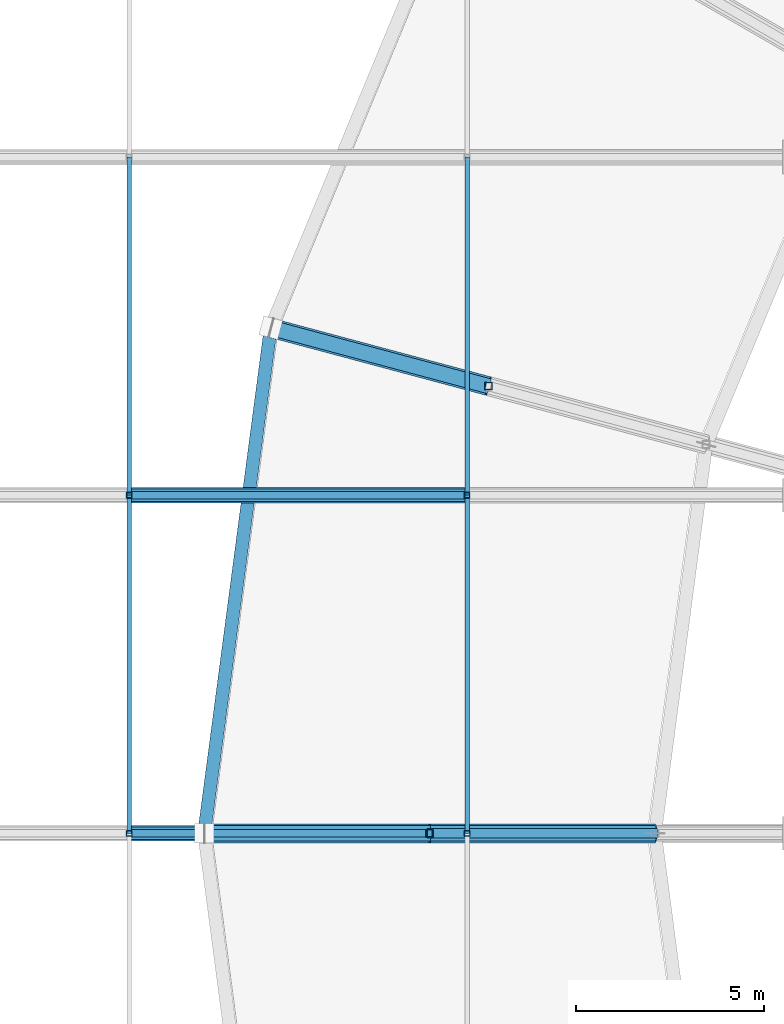
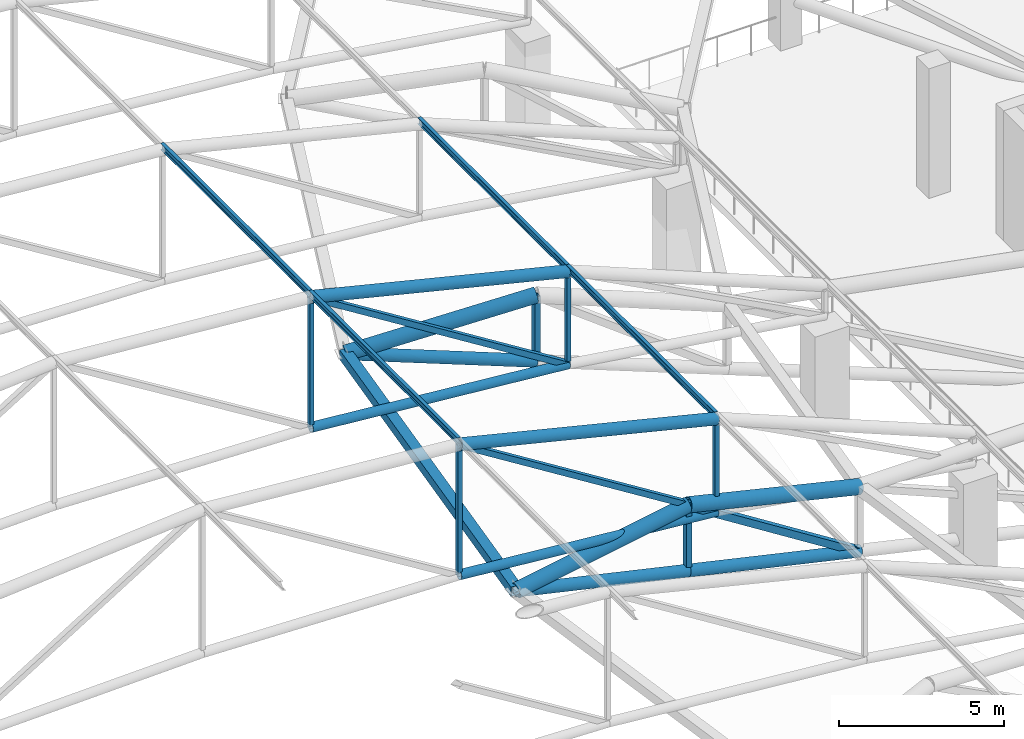
# One storey, part 50 of 167: 24 members.
"""IFC4 building model written with IfcOpenShell, lengths in metres."""

from ifc_helpers import new_model, si_unit, direction, frame, origin, origin_2d, place, context, subcontext, project, spatial, hollow_rectangle, hollow_circle, i_section, extrude, material, material_profile, profile_set, type_object, element, save


model = new_model("IFC4")

# Units and contexts
model_context = context("Model", 3, precision=1e-05, world=origin(), true_north=direction((0.0, 1.0)))
body_context = subcontext(model_context, "Body", "Model", "MODEL_VIEW")
ifc_project = project(units=[si_unit("LENGTHUNIT", "METRE"), si_unit("AREAUNIT", "SQUARE_METRE"), si_unit("VOLUMEUNIT", "CUBIC_METRE"), si_unit("PLANEANGLEUNIT", "RADIAN"), si_unit("MASSUNIT", "GRAM", prefix="KILO")], contexts=[model_context])

# Site, building, storey
site_placement = place(None, origin())
site = spatial("IfcSite", under=ifc_project, at=site_placement, CompositionType="ELEMENT")
building_placement = place(site_placement, origin())
building = spatial("IfcBuilding", under=site, at=building_placement, Name="Dornveld Trade and Exhibition Forum", CompositionType="ELEMENT")
storey_placement = place(building_placement, frame((0.0, 0.0, 16.800048828125)))
storey = spatial("IfcBuildingStorey", under=building, at=storey_placement, Name="L03", CompositionType="ELEMENT", Elevation=16.800048828125)

# Members
ifc_material_1 = material(Name="Steel S355J2", Category="steel")
ifc_material_profile_1 = material_profile(ifc_material_1, hollow_circle(Radius=0.161865234375, WallThickness=0.01611328125, at=origin_2d()), Name="CHS 323.9x16")
ifc_profile_set_1 = profile_set([ifc_material_profile_1], Name="Steel S355J2")
member_type_1 = type_object("IfcMemberType", Name="MEM-ARCH-BC", PredefinedType="CHORD", material=ifc_profile_set_1)
for number, where, z_axis, x_axis, name in (
    (1, (63.0, 81.0, 6.083251953125), (0.996072164085, 0.0, -0.088545151956), (0.0, 1.0, 0.0), "H3 truss 6 tie chord 5"),
    (2, (63.0, 90.0, 6.083251953125), (0.996072164085, 0.0, -0.088545151956), (0.0, 1.0, 0.0), "H3 truss 7 tie chord 5"),
):
    element("IfcMember", number, at=place(storey_placement, frame(where, z_axis=z_axis, x_axis=x_axis)), inside=storey, type_object=member_type_1, Name=name, PredefinedType="CHORD", context=body_context, shape_type="SweptSolid", body=[
        extrude(hollow_circle(Radius=0.161865234375, WallThickness=0.01611328125, at=origin_2d()), origin(), (0.0, 0.0, 1.0), 9.035400390625),
    ])
ifc_material_2 = material(Name="Steel S355J2", Category="steel")
ifc_material_profile_2 = material_profile(ifc_material_2, hollow_rectangle(XDim=0.14990234375, YDim=0.14990234375, WallThickness=0.008056640625, at=origin_2d()), Name="SHS 150x150x8")
ifc_profile_set_2 = profile_set([ifc_material_profile_2], Name="Steel S355J2")
member_type_2 = type_object("IfcMemberType", Name="MEM-ARCH-STR", PredefinedType="STRUT", material=ifc_profile_set_2)
member_1_placement = place(storey_placement, frame((63.0, 81.0, 6.083251953125), z_axis=(0.0, 0.0, 1.0), x_axis=(1.0, 0.0, 0.0)))
element("IfcMember", 3, at=member_1_placement, inside=storey, type_object=member_type_2, Name="H3 truss 6 strut 5", PredefinedType="STRUT", context=body_context, shape_type="SweptSolid", body=[
    extrude(hollow_rectangle(XDim=0.14990234375, YDim=0.14990234375, WallThickness=0.008056640625, at=origin_2d()), origin(), (0.0, 0.0, 1.0), 4.83349609375),
])
member_2_placement = place(storey_placement, frame((72.0, 81.0, 5.283203125), z_axis=(0.0, 0.0, 1.0), x_axis=(1.0, 0.0, 0.0)))
element("IfcMember", 4, at=member_2_placement, inside=storey, type_object=member_type_2, Name="H3 truss 6 strut 6", PredefinedType="STRUT", context=body_context, shape_type="SweptSolid", body=[
    extrude(hollow_rectangle(XDim=0.14990234375, YDim=0.14990234375, WallThickness=0.008056640625, at=origin_2d()), origin(), (0.0, 0.0, 1.0), 3.433349609375),
])
member_3_placement = place(storey_placement, frame((63.0, 90.0, 6.083251953125), z_axis=(0.0, 0.0, 1.0), x_axis=(1.0, 0.0, 0.0)))
element("IfcMember", 5, at=member_3_placement, inside=storey, type_object=member_type_2, Name="H3 truss 7 strut 5", PredefinedType="STRUT", context=body_context, shape_type="SweptSolid", body=[
    extrude(hollow_rectangle(XDim=0.14990234375, YDim=0.14990234375, WallThickness=0.008056640625, at=origin_2d()), origin(), (0.0, 0.0, 1.0), 4.83349609375),
])
member_4_placement = place(storey_placement, frame((72.0, 90.0, 5.283203125), z_axis=(0.0, 0.0, 1.0), x_axis=(1.0, 0.0, 0.0)))
element("IfcMember", 6, at=member_4_placement, inside=storey, type_object=member_type_2, Name="H3 truss 7 strut 6", PredefinedType="STRUT", context=body_context, shape_type="SweptSolid", body=[
    extrude(hollow_rectangle(XDim=0.14990234375, YDim=0.14990234375, WallThickness=0.008056640625, at=origin_2d()), origin(), (0.0, 0.0, 1.0), 3.433349609375),
])
ifc_material_3 = material(Name="Steel S355J2", Category="steel")
ifc_material_profile_3 = material_profile(ifc_material_3, hollow_circle(Radius=0.203125, WallThickness=0.02001953125, at=origin_2d()), Name="CHS 406.4x20")
ifc_profile_set_3 = profile_set([ifc_material_profile_3], Name="Steel S355J2")
member_type_3 = type_object("IfcMemberType", Name="MEM-ARCH-TC", PredefinedType="CHORD", material=ifc_profile_set_3)
for number, where, z_axis, x_axis, name in (
    (7, (63.0, 81.0, 10.916748046875), (0.971394143806, 0.0, -0.237472982421), (0.0, 1.0, 0.0), "H3 truss 6 top chord 5"),
    (8, (63.0, 90.0, 10.916748046875), (0.971394143806, 0.0, -0.237472982421), (0.0, 1.0, 0.0), "H3 truss 7 top chord 5"),
):
    element("IfcMember", number, at=place(storey_placement, frame(where, z_axis=z_axis, x_axis=x_axis)), inside=storey, type_object=member_type_3, Name=name, PredefinedType="CHORD", context=body_context, shape_type="SweptSolid", body=[
        extrude(hollow_circle(Radius=0.203125, WallThickness=0.02001953125, at=origin_2d()), origin(), (0.0, 0.0, 1.0), 9.26513671875),
    ])
ifc_material_4 = material(Name="Steel S355J2", Category="steel")
ifc_material_profile_4 = material_profile(ifc_material_4, hollow_rectangle(XDim=0.199951171875, YDim=0.199951171875, WallThickness=0.010009765625, at=origin_2d()), Name="SHS 200x200x10")
ifc_profile_set_4 = profile_set([ifc_material_profile_4], Name="Steel S355J2")
member_type_4 = type_object("IfcMemberType", Name="MEM-ARCH-WEB", PredefinedType="BRACE", material=ifc_profile_set_4)
for number, where, z_axis, x_axis, name in (
    (9, (72.0, 81.0, 5.283203125), (-0.84763640931, 0.0, 0.53057753214), (0.0, -1.0, 0.0), "H3 truss 6 web 5"),
    (10, (72.0, 90.0, 5.283203125), (-0.84763640931, 0.0, 0.53057753214), (0.0, -1.0, 0.0), "H3 truss 7 web 5"),
):
    element("IfcMember", number, at=place(storey_placement, frame(where, z_axis=z_axis, x_axis=x_axis)), inside=storey, type_object=member_type_4, Name=name, PredefinedType="BRACE", context=body_context, shape_type="SweptSolid", body=[
        extrude(hollow_rectangle(XDim=0.199951171875, YDim=0.199951171875, WallThickness=0.010009765625, at=origin_2d()), origin(), (0.0, 0.0, 1.0), 10.61767578125),
    ])
ifc_material_5 = material(Name="Steel S355J2", Category="steel")
ifc_material_profile_5 = material_profile(ifc_material_5, hollow_circle(Radius=0.203125, WallThickness=0.02001953125, at=origin_2d()), Name="CHS 406.4x20")
ifc_profile_set_5 = profile_set([ifc_material_profile_5], Name="Steel S355J2")
member_type_5 = type_object("IfcMemberType", Name="MEM-DISC-BC", PredefinedType="CHORD", material=ifc_profile_set_5)
for number, where, z_axis, x_axis, name in (
    (11, (72.5673828125, 92.90576171875, 3.437744140625), (-0.941955467078, 0.25237327368, 0.221421834455), (-0.2587971036, -0.96593170523, 0.0), "Roof disc radial R12 conical bottom chord 4"),
    (12, (77.0, 81.0, 2.07568359375), (-0.975188175401, 0.0, 0.221377556582), (0.0, -1.0, 0.0), "Roof disc radial R13 conical bottom chord 3"),
):
    element("IfcMember", number, at=place(storey_placement, frame(where, z_axis=z_axis, x_axis=x_axis)), inside=storey, type_object=member_type_5, Name=name, PredefinedType="CHORD", context=body_context, shape_type="SweptSolid", body=[
        extrude(hollow_circle(Radius=0.203125, WallThickness=0.02001953125, at=origin_2d()), origin(), (0.0, 0.0, 1.0), 6.152587890625),
    ])
member_5_placement = place(storey_placement, frame((71.0, 81.0, 3.437744140625), z_axis=(-0.975179608328, 0.0, 0.22141529193), x_axis=(0.0, -1.0, 0.0)))
element("IfcMember", 13, at=member_5_placement, inside=storey, type_object=member_type_5, Name="Roof disc radial R13 conical bottom chord 4", PredefinedType="CHORD", context=body_context, shape_type="SweptSolid", body=[
    extrude(hollow_circle(Radius=0.203125, WallThickness=0.02001953125, at=origin_2d()), origin(), (0.0, 0.0, 1.0), 6.15283203125),
])
ifc_material_6 = material(Name="Steel S355J2", Category="steel")
ifc_material_profile_6 = material_profile(ifc_material_6, hollow_rectangle(XDim=0.35009765625, YDim=0.35009765625, WallThickness=0.01611328125, at=origin_2d()), Name="SHS 350x350x16")
ifc_profile_set_6 = profile_set([ifc_material_profile_6], Name="Steel S355J2")
member_type_6 = type_object("IfcMemberType", Name="MEM-DISC-RING", PredefinedType="CHORD", material=ifc_profile_set_6)
member_6_placement = place(storey_placement, frame((66.77197265625, 94.45849609375, 4.800048828125), z_axis=(-0.130535463208, -0.991443640781, 0.0), x_axis=(0.991443640781, -0.130535463208, 0.0)))
element("IfcMember", 14, at=member_6_placement, inside=storey, type_object=member_type_6, Name="Roof disc ring 4 chord 12", PredefinedType="CHORD", context=body_context, shape_type="SweptSolid", body=[
    extrude(hollow_rectangle(XDim=0.35009765625, YDim=0.35009765625, WallThickness=0.01611328125, at=origin_2d()), origin(), (0.0, 0.0, 1.0), 13.57470703125),
])
ifc_material_7 = material(Name="Steel S355J2", Category="steel")
ifc_material_profile_7 = material_profile(ifc_material_7, hollow_rectangle(XDim=0.199951171875, YDim=0.199951171875, WallThickness=0.010009765625, at=origin_2d()), Name="SHS 200x200x10")
ifc_profile_set_7 = profile_set([ifc_material_profile_7], Name="Steel S355J2")
member_type_7 = type_object("IfcMemberType", Name="MEM-DISC-STR", PredefinedType="STRUT", material=ifc_profile_set_7)
for number, where, z_axis, x_axis, name in (
    (15, (72.5673828125, 92.90576171875, 3.437744140625), (0.0, 0.0, 1.0), (1.0, 0.0, 0.0), "Roof disc radial R12 strut 4"),
    (16, (71.0, 81.0, 3.437744140625), (0.0, 0.0, 1.0), (1.0, 0.0, 0.0), "Roof disc radial R13 strut 4"),
):
    element("IfcMember", number, at=place(storey_placement, frame(where, z_axis=z_axis, x_axis=x_axis)), inside=storey, type_object=member_type_7, Name=name, PredefinedType="STRUT", context=body_context, shape_type="SweptSolid", body=[
        extrude(hollow_rectangle(XDim=0.199951171875, YDim=0.199951171875, WallThickness=0.010009765625, at=origin_2d()), origin(), (0.0, 0.0, 1.0), 2.437255859375),
    ])
ifc_material_8 = material(Name="Steel S355J2", Category="steel")
ifc_material_profile_8 = material_profile(ifc_material_8, hollow_circle(Radius=0.25390625, WallThickness=0.02490234375, at=origin_2d()), Name="CHS 508x25")
ifc_profile_set_8 = profile_set([ifc_material_profile_8], Name="Steel S355J2")
member_type_8 = type_object("IfcMemberType", Name="MEM-DISC-TC", PredefinedType="CHORD", material=ifc_profile_set_8)
member_7_placement = place(storey_placement, frame((72.5673828125, 92.90576171875, 5.875), z_axis=(-0.950792133905, 0.254740836281, -0.176355959457), x_axis=(-0.2587971036, -0.96593170523, 0.0)))
element("IfcMember", 17, at=member_7_placement, inside=storey, type_object=member_type_8, Name="Roof disc radial R12 top chord 4", PredefinedType="CHORD", context=body_context, shape_type="SweptSolid", body=[
    extrude(hollow_circle(Radius=0.25390625, WallThickness=0.02490234375, at=origin_2d()), origin(), (0.0, 0.0, 1.0), 6.095458984375),
])
member_8_placement = place(storey_placement, frame((77.0, 81.0, 4.449951171875), z_axis=(-0.972934770629, 0.0, 0.231079925788), x_axis=(0.0, -1.0, 0.0)))
element("IfcMember", 18, at=member_8_placement, inside=storey, type_object=member_type_8, Name="Roof disc radial R13 top chord 3", PredefinedType="CHORD", context=body_context, shape_type="SweptSolid", body=[
    extrude(hollow_circle(Radius=0.25390625, WallThickness=0.02490234375, at=origin_2d()), origin(), (0.0, 0.0, 1.0), 6.1669921875),
])
member_9_placement = place(storey_placement, frame((71.0, 81.0, 5.875), z_axis=(-0.984327409014, 0.0, -0.176350650305), x_axis=(0.0, -1.0, 0.0)))
element("IfcMember", 19, at=member_9_placement, inside=storey, type_object=member_type_8, Name="Roof disc radial R13 top chord 4", PredefinedType="CHORD", context=body_context, shape_type="SweptSolid", body=[
    extrude(hollow_circle(Radius=0.25390625, WallThickness=0.02490234375, at=origin_2d()), origin(), (0.0, 0.0, 1.0), 6.095458984375),
])
ifc_material_9 = material(Name="Steel S355J2", Category="steel")
ifc_material_profile_9 = material_profile(ifc_material_9, hollow_rectangle(XDim=0.25, YDim=0.25, WallThickness=0.012451171875, at=origin_2d()), Name="SHS 250x250x12.5")
ifc_profile_set_9 = profile_set([ifc_material_profile_9], Name="Steel S355J2")
member_type_9 = type_object("IfcMemberType", Name="MEM-DISC-WEB", PredefinedType="BRACE", material=ifc_profile_set_9)
member_10_placement = place(storey_placement, frame((77.0, 81.0, 2.07568359375), z_axis=(-0.844862583121, 0.0, 0.534983378846), x_axis=(0.0, -1.0, 0.0)))
element("IfcMember", 20, at=member_10_placement, inside=storey, type_object=member_type_9, Name="Roof disc radial R13 web 3", PredefinedType="BRACE", context=body_context, shape_type="SweptSolid", body=[
    extrude(hollow_rectangle(XDim=0.25, YDim=0.25, WallThickness=0.012451171875, at=origin_2d()), origin(), (0.0, 0.0, 1.0), 7.101806640625),
])
ifc_material_10 = material(Name="Steel S355J2", Category="steel")
ifc_material_profile_10 = material_profile(ifc_material_10, i_section(OverallWidth=0.1201171875, OverallDepth=0.239990234375, WebThickness=0.006103515625, FlangeThickness=0.009765625, FilletRadius=0.014892578125, at=origin_2d()), Name="IPE 240")
ifc_profile_set_10 = profile_set([ifc_material_profile_10], Name="Steel S355J2")
member_type_10 = type_object("IfcMemberType", Name="MEM-PURLIN-240", PredefinedType="PURLIN", material=ifc_profile_set_10)
for number, where, z_axis, x_axis, name in (
    (21, (63.0, 81.0, 11.048583984375), (0.0, 1.0, 0.0), (-1.0, 0.0, 0.0), "H3 bay 6 roof purlin 5"),
    (22, (72.0, 81.0, 8.8486328125), (0.0, 1.0, 0.0), (-1.0, 0.0, 0.0), "H3 bay 6 roof purlin 6"),
    (23, (63.0, 90.0, 11.048583984375), (0.0, 1.0, 0.0), (-1.0, 0.0, 0.0), "H3 bay 7 roof purlin 5"),
    (24, (72.0, 90.0, 8.8486328125), (0.0, 1.0, 0.0), (-1.0, 0.0, 0.0), "H3 bay 7 roof purlin 6"),
):
    element("IfcMember", number, at=place(storey_placement, frame(where, z_axis=z_axis, x_axis=x_axis)), inside=storey, type_object=member_type_10, Name=name, PredefinedType="PURLIN", context=body_context, shape_type="SweptSolid", body=[
        extrude(i_section(OverallWidth=0.1201171875, OverallDepth=0.239990234375, WebThickness=0.006103515625, FlangeThickness=0.009765625, FilletRadius=0.014892578125, at=origin_2d()), origin(), (0.0, 0.0, 1.0), 9.0),
    ])

save(model, "model.ifc")
